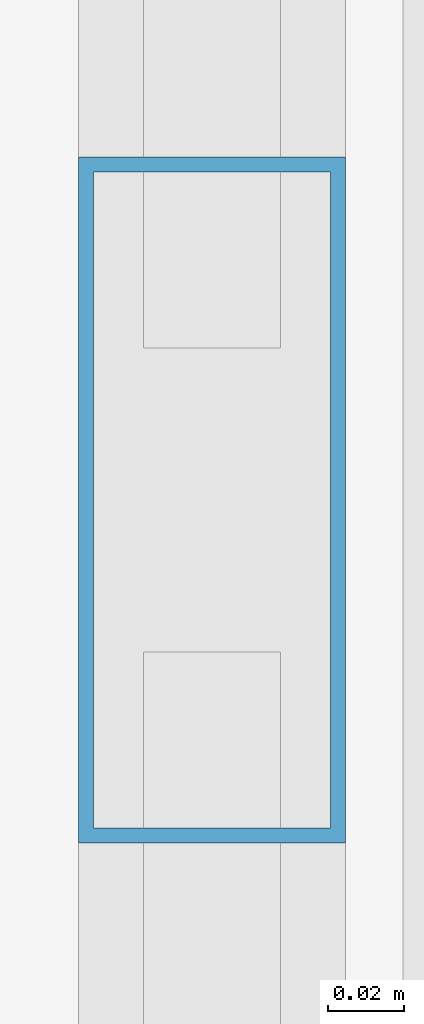
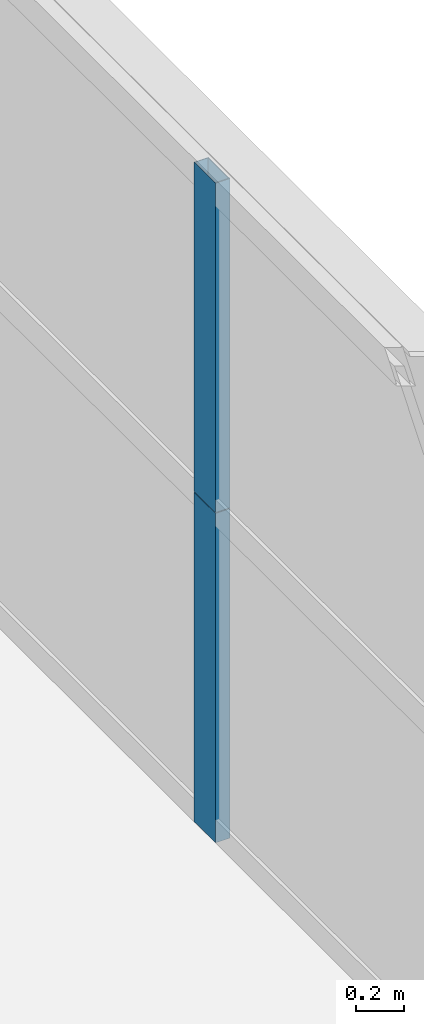
# One storey, part 19 of 43: 2 members, 1 element without a shape of its own.
"""IFC4 building model written with IfcOpenShell, lengths in metres."""

from ifc_helpers import new_model, si_unit, direction, frame, origin, origin_2d, place, context, subcontext, project, spatial, hollow_rectangle, extrude, source, transform, mapped, material, layer, layer_set, material_profile, profile_set, type_object, element, aggregate, save


model = new_model("IFC4")

# Units and contexts
model_context = context("Model", 3, precision=1e-05, world=origin(), true_north=direction((0.0, 1.0)))
body_context = subcontext(model_context, "Body", "Model", "MODEL_VIEW")
ifc_project = project(units=[si_unit("LENGTHUNIT", "METRE"), si_unit("AREAUNIT", "SQUARE_METRE"), si_unit("VOLUMEUNIT", "CUBIC_METRE"), si_unit("PLANEANGLEUNIT", "RADIAN"), si_unit("MASSUNIT", "GRAM", prefix="KILO"), si_unit("THERMODYNAMICTEMPERATUREUNIT", "KELVIN"), si_unit("POWERUNIT", "WATT")], contexts=[model_context])

# Site, building, storey
site_placement = place(None, origin())
site = spatial("IfcSite", under=ifc_project, at=site_placement, CompositionType="ELEMENT")
building_placement = place(site_placement, origin())
building = spatial("IfcBuilding", under=site, at=building_placement, Name="Yuzanri Waterfront Tower", CompositionType="ELEMENT")
storey_placement = place(building_placement, frame((0.0, 0.0, 78.39990234375)))
storey = spatial("IfcBuildingStorey", under=building, at=storey_placement, Name="L20", CompositionType="ELEMENT", Elevation=78.39990234375)

# Curtain wall, members
ifc_material_1 = material(Name="Anodized Architectural Bronze", Category="metal")
ifc_layer = layer(ifc_material_1, 0.159912109375)
ifc_layer_set = layer_set([ifc_layer], Name="Anodized Architectural Bronze")
curtain_wall_type = type_object("IfcCurtainWallType", Name="Anodized Bronze Hotel Lower-Tier Recessed Unitized Curtain Wall 8100", PredefinedType="NOTDEFINED", material=ifc_layer_set)
curtain_wall_placement = place(storey_placement, origin())
curtain_wall = element("IfcCurtainWall", 1, at=curtain_wall_placement, inside=storey, type_object=curtain_wall_type, Name="L20 Curtain Wall CW-L20-EL", PredefinedType="NOTDEFINED")
ifc_material_2 = material(Name="Anodized Architectural Bronze", Category="metal")
ifc_material_profile = material_profile(ifc_material_2, hollow_rectangle(XDim=0.070068359375, YDim=0.179931640625, WallThickness=0.00390625, at=origin_2d()), Name="CWM 70x180")
ifc_profile_set = profile_set([ifc_material_profile], Name="Anodized Architectural Bronze")
member_type = type_object("IfcMemberType", Name="Anodized Bronze Standard Curtain-Wall Mullion 70x180", PredefinedType="MULLION", material=ifc_profile_set)
shared_shape = source(origin(), body_context, "Body", "SweptSolid", [
    extrude(hollow_rectangle(XDim=0.070068359375, YDim=0.179931640625, WallThickness=0.00390625, at=origin_2d()), origin(), (0.0, 0.0, 1.0), 1.68798828125),
])
member_1_placement = place(storey_placement, frame((61.949951171875, 16.699951171875, 0.0), z_axis=(0.0, 0.0, 1.0), x_axis=(1.0, 0.0, 0.0)))
member_1 = element("IfcMember", 2, at=member_1_placement, type_object=member_type, Name="CW-L20-EL Lower Mullion 01", PredefinedType="MULLION", context=body_context, shape_type="MappedRepresentation", body=[
    mapped(shared_shape, transform((0.0, 0.0, 0.0), scale=1.0)),
])
member_2_placement = place(storey_placement, frame((61.949951171875, 16.699951171875, 1.692138671875), z_axis=(0.0, 0.0, 1.0), x_axis=(1.0, 0.0, 0.0)))
member_2 = element("IfcMember", 3, at=member_2_placement, type_object=member_type, Name="CW-L20-EL Upper Mullion 01", PredefinedType="MULLION", context=body_context, shape_type="MappedRepresentation", body=[
    mapped(shared_shape, transform((0.0, 0.0, 0.0), scale=1.0)),
])
aggregate(curtain_wall, [member_1, member_2])

save(model, "model.ifc")
